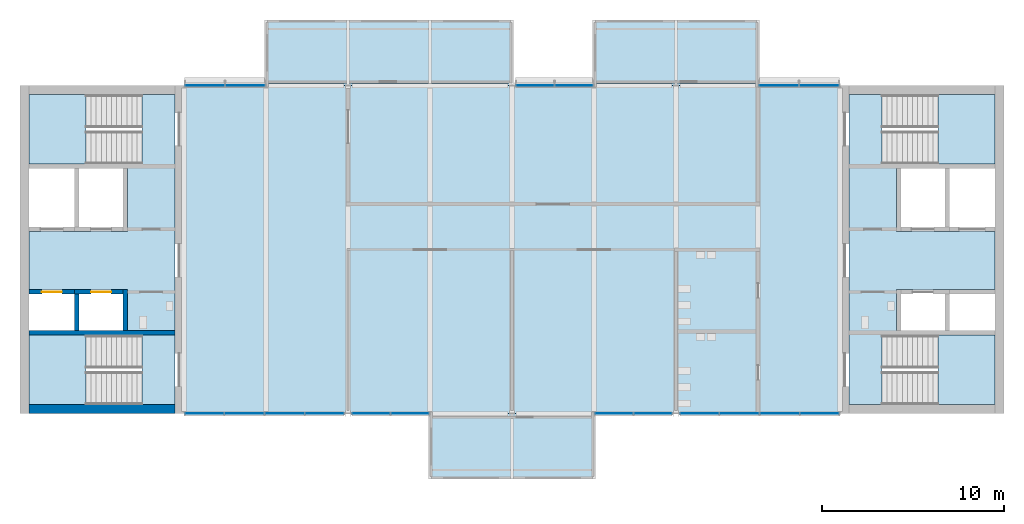
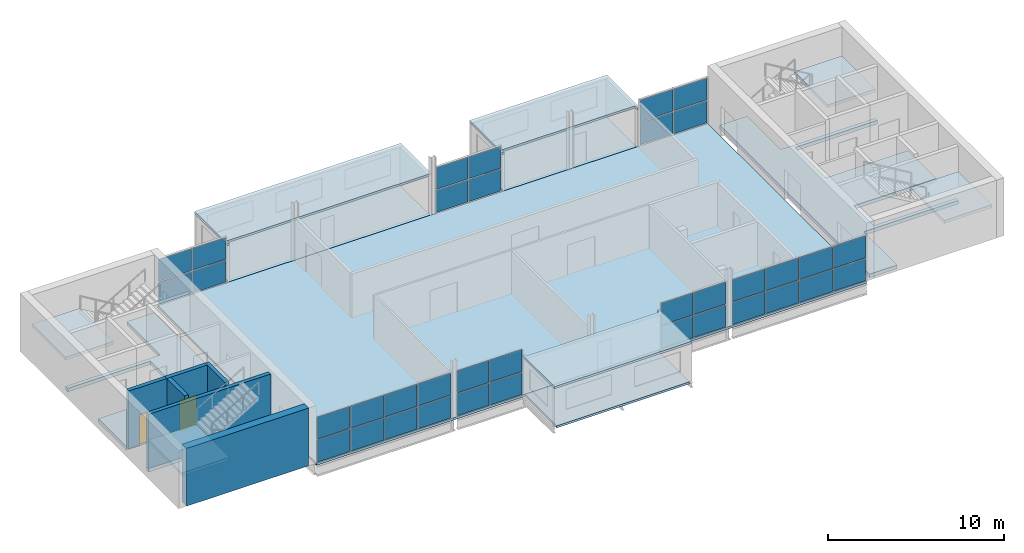
# One storey, part 4 of 10: 36 plates, 13 slabs, 6 walls, 2 doors, 2 openings, 11 elements without a shape of their own.
"""IFC4 building model written with IfcOpenShell, lengths in metres."""

from ifc_helpers import new_model, si_unit, direction, frame, frame_2d, origin, origin_2d, place, context, subcontext, project, spatial, polyline, rectangle, outline, extrude, material, layer, layer_set, type_object, element, fill, aggregate, save


model = new_model("IFC4")

# Units and contexts
model_context = context("Model", 3, precision=1e-05, world=origin(), true_north=direction((0.0, 1.0)))
body_context = subcontext(model_context, "Body", "Model", "MODEL_VIEW")
ifc_project = project(units=[si_unit("LENGTHUNIT", "METRE"), si_unit("AREAUNIT", "SQUARE_METRE"), si_unit("VOLUMEUNIT", "CUBIC_METRE"), si_unit("PLANEANGLEUNIT", "RADIAN"), si_unit("MASSUNIT", "GRAM", prefix="KILO")], contexts=[model_context])

# Site, building, storey
site_placement = place(None, origin())
site = spatial("IfcSite", under=ifc_project, at=site_placement, CompositionType="ELEMENT")
building_placement = place(site_placement, origin())
building = spatial("IfcBuilding", under=site, at=building_placement, Name="Corbel Yard City Hall", CompositionType="ELEMENT")
storey_placement = place(building_placement, frame((0.0, 0.0, 51.199951171875)))
storey = spatial("IfcBuildingStorey", under=building, at=storey_placement, Name="L12", CompositionType="ELEMENT", Elevation=51.199951171875)

# Slabs
ifc_material_1 = material(Name="Concrete N40 (40 MPa)", Category="concrete")
ifc_layer_1 = layer(ifc_material_1, 0.25)
ifc_layer_set_1 = layer_set([ifc_layer_1], Name="Concrete N40 (40 MPa)")
slab_type_1 = type_object("IfcSlabType", Name="CF1", PredefinedType="FLOOR", material=ifc_layer_set_1)
slab_1_placement = place(storey_placement, frame((0.0, 0.0, -0.25)))
element("IfcSlab", 1, at=slab_1_placement, inside=storey, type_object=slab_type_1, Name="Core floor slab", PredefinedType="FLOOR", context=body_context, shape_type="SweptSolid", body=[
    extrude(outline(polyline([(8.5, 116.5), (6.698974609375, 116.5), (6.698974609375, 112.699951171875), (0.5, 112.699951171875), (0.5, 112.449951171875), (5.89990234375, 112.449951171875), (5.89990234375, 109.0), (0.5, 109.0), (0.5, 105.800048828125), (5.89990234375, 105.800048828125), (5.89990234375, 103.550048828125), (0.5, 103.550048828125), (0.5, 103.300048828125), (6.698974609375, 103.300048828125), (6.698974609375, 99.5), (8.5, 99.5), (8.5, 116.5)])), origin(), (0.0, 0.0, 1.0), 0.25),
])
slab_2_placement = place(storey_placement, frame((0.0, 0.0, -0.25)))
element("IfcSlab", 2, at=slab_2_placement, inside=storey, type_object=slab_type_1, Name="Core floor slab", PredefinedType="FLOOR", context=body_context, shape_type="SweptSolid", body=[
    extrude(outline(polyline([(53.5, 103.300048828125), (53.5, 103.550048828125), (48.10009765625, 103.550048828125), (48.10009765625, 105.800048828125), (53.5, 105.800048828125), (53.5, 109.0), (48.10009765625, 109.0), (48.10009765625, 112.449951171875), (53.5, 112.449951171875), (53.5, 112.699951171875), (47.301025390625, 112.699951171875), (47.301025390625, 116.5), (45.5, 116.5), (45.5, 99.5), (47.301025390625, 99.5), (47.301025390625, 103.300048828125), (53.5, 103.300048828125)])), origin(), (0.0, 0.0, 1.0), 0.25),
])
ifc_layer_2 = layer(ifc_material_1, 0.14990234375)
ifc_layer_set_2 = layer_set([ifc_layer_2], Name="Concrete N40 (40 MPa)")
slab_type_2 = type_object("IfcSlabType", Name="Floor slab 150", PredefinedType="FLOOR", material=ifc_layer_set_2)
slab_3_placement = place(storey_placement, frame((0.0, 0.0, -0.14990234375)))
element("IfcSlab", 3, at=slab_3_placement, inside=storey, type_object=slab_type_2, Name="Tower floor slab L12", PredefinedType="FLOOR", context=body_context, shape_type="SweptSolid", body=[
    extrude(outline(polyline([(45.0, 99.0), (45.0, 117.0), (9.0, 117.0), (9.0, 99.0), (45.0, 99.0)])), origin(), (0.0, 0.0, 1.0), 0.14990234375),
])

# Stair, slab
stair_type = type_object("IfcStairType", Name="ST4", PredefinedType="HALF_TURN_STAIR", material=ifc_material_1)
stair_1_placement = place(storey_placement, origin())
stair_1 = element("IfcStair", 4, at=stair_1_placement, inside=storey, type_object=stair_type, Name="Exit stair ST-W1 L12", PredefinedType="HALF_TURN_STAIR")
ifc_layer_3 = layer(ifc_material_1, 0.199951171875)
ifc_layer_set_3 = layer_set([ifc_layer_3], Name="Concrete N40 (40 MPa)")
slab_type_3 = type_object("IfcSlabType", Name="LN1", PredefinedType="LANDING", material=ifc_layer_set_3)
slab_4_placement = place(storey_placement, frame((0.0, 0.0, 1.800048828125)))
slab_4 = element("IfcSlab", 5, at=slab_4_placement, type_object=slab_type_3, Name="ST-W1 landing 1", PredefinedType="LANDING", context=body_context, shape_type="SweptSolid", body=[
    extrude(outline(polyline([(0.5, 99.5), (3.6201171875, 99.5), (3.6201171875, 103.300048828125), (0.5, 103.300048828125), (0.5, 99.5)])), origin(), (0.0, 0.0, 1.0), 0.199951171875),
])
aggregate(stair_1, [slab_4])

stair_2_placement = place(storey_placement, origin())
stair_2 = element("IfcStair", 6, at=stair_2_placement, inside=storey, type_object=stair_type, Name="Exit stair ST-W2 L12", PredefinedType="HALF_TURN_STAIR")
slab_5_placement = place(storey_placement, frame((0.0, 0.0, 1.800048828125)))
slab_5 = element("IfcSlab", 7, at=slab_5_placement, type_object=slab_type_3, Name="ST-W2 landing 1", PredefinedType="LANDING", context=body_context, shape_type="SweptSolid", body=[
    extrude(outline(polyline([(0.5, 112.699951171875), (3.6201171875, 112.699951171875), (3.6201171875, 116.5), (0.5, 116.5), (0.5, 112.699951171875)])), origin(), (0.0, 0.0, 1.0), 0.199951171875),
])
aggregate(stair_2, [slab_5])

stair_3_placement = place(storey_placement, origin())
stair_3 = element("IfcStair", 8, at=stair_3_placement, inside=storey, type_object=stair_type, Name="Exit stair ST-E1 L12", PredefinedType="HALF_TURN_STAIR")
slab_6_placement = place(storey_placement, frame((0.0, 0.0, 1.800048828125)))
slab_6 = element("IfcSlab", 9, at=slab_6_placement, type_object=slab_type_3, Name="ST-E1 landing 1", PredefinedType="LANDING", context=body_context, shape_type="SweptSolid", body=[
    extrude(outline(polyline([(50.3798828125, 99.5), (53.5, 99.5), (53.5, 103.300048828125), (50.3798828125, 103.300048828125), (50.3798828125, 99.5)])), origin(), (0.0, 0.0, 1.0), 0.199951171875),
])
aggregate(stair_3, [slab_6])

stair_4_placement = place(storey_placement, origin())
stair_4 = element("IfcStair", 10, at=stair_4_placement, inside=storey, type_object=stair_type, Name="Exit stair ST-E2 L12", PredefinedType="HALF_TURN_STAIR")
slab_7_placement = place(storey_placement, frame((0.0, 0.0, 1.800048828125)))
slab_7 = element("IfcSlab", 11, at=slab_7_placement, type_object=slab_type_3, Name="ST-E2 landing 1", PredefinedType="LANDING", context=body_context, shape_type="SweptSolid", body=[
    extrude(outline(polyline([(50.3798828125, 112.699951171875), (53.5, 112.699951171875), (53.5, 116.5), (50.3798828125, 116.5), (50.3798828125, 112.699951171875)])), origin(), (0.0, 0.0, 1.0), 0.199951171875),
])
aggregate(stair_4, [slab_7])

# Slabs
ifc_material_2 = material(Name="Concrete N32 (32 MPa)", Category="concrete")
ifc_layer_4 = layer(ifc_material_2, 0.14990234375)
ifc_layer_set_4 = layer_set([ifc_layer_4], Name="Concrete N32 (32 MPa)")
slab_type_4 = type_object("IfcSlabType", Name="PF1", PredefinedType="FLOOR", material=ifc_layer_set_4)
slab_8_placement = place(storey_placement, frame((0.0, 0.0, -0.14990234375)))
element("IfcSlab", 12, at=slab_8_placement, inside=storey, type_object=slab_type_4, Name="Pod floor slab L12", PredefinedType="FLOOR", context=body_context, shape_type="SweptSolid", body=[
    extrude(outline(polyline([(22.64990234375, 95.39990234375), (31.35009765625, 95.39990234375), (31.35009765625, 99.0), (22.64990234375, 99.0), (22.64990234375, 95.39990234375)])), origin(), (0.0, 0.0, 1.0), 0.14990234375),
])
slab_9_placement = place(storey_placement, frame((0.0, 0.0, -0.14990234375)))
element("IfcSlab", 13, at=slab_9_placement, inside=storey, type_object=slab_type_4, Name="Pod floor slab L12", PredefinedType="FLOOR", context=body_context, shape_type="SweptSolid", body=[
    extrude(outline(polyline([(13.64990234375, 117.0), (26.85009765625, 117.0), (26.85009765625, 120.60009765625), (13.64990234375, 120.60009765625), (13.64990234375, 117.0)])), origin(), (0.0, 0.0, 1.0), 0.14990234375),
])
slab_10_placement = place(storey_placement, frame((0.0, 0.0, -0.14990234375)))
element("IfcSlab", 14, at=slab_10_placement, inside=storey, type_object=slab_type_4, Name="Pod floor slab L12", PredefinedType="FLOOR", context=body_context, shape_type="SweptSolid", body=[
    extrude(outline(polyline([(31.64990234375, 117.0), (40.35009765625, 117.0), (40.35009765625, 120.60009765625), (31.64990234375, 120.60009765625), (31.64990234375, 117.0)])), origin(), (0.0, 0.0, 1.0), 0.14990234375),
])
ifc_layer_5 = layer(ifc_material_2, 0.14990234375)
ifc_layer_set_5 = layer_set([ifc_layer_5], Name="Concrete N32 (32 MPa)")
slab_type_5 = type_object("IfcSlabType", Name="PH1", PredefinedType="ROOF", material=ifc_layer_set_5)
slab_11_placement = place(storey_placement, frame((0.0, 0.0, 2.60009765625)))
element("IfcSlab", 15, at=slab_11_placement, inside=storey, type_object=slab_type_5, Name="Pod roof slab L12", PredefinedType="ROOF", context=body_context, shape_type="SweptSolid", body=[
    extrude(outline(polyline([(22.5, 95.39990234375), (31.5, 95.39990234375), (31.5, 99.074951171875), (31.35009765625, 99.074951171875), (31.35009765625, 98.844482421875), (22.64990234375, 98.844482421875), (22.64990234375, 99.074951171875), (22.5, 99.074951171875), (22.5, 95.39990234375)])), origin(), (0.0, 0.0, 1.0), 0.14990234375),
])
slab_12_placement = place(storey_placement, frame((0.0, 0.0, 2.60009765625)))
element("IfcSlab", 16, at=slab_12_placement, inside=storey, type_object=slab_type_5, Name="Pod roof slab L12", PredefinedType="ROOF", context=body_context, shape_type="SweptSolid", body=[
    extrude(outline(polyline([(13.5, 120.60009765625), (13.5, 116.909912109375), (13.64990234375, 116.909912109375), (13.64990234375, 117.155517578125), (27.0, 117.155517578125), (27.0, 120.60009765625), (13.5, 120.60009765625)])), origin(), (0.0, 0.0, 1.0), 0.14990234375),
])
slab_13_placement = place(storey_placement, frame((0.0, 0.0, 2.60009765625)))
element("IfcSlab", 17, at=slab_13_placement, inside=storey, type_object=slab_type_5, Name="Pod roof slab L12", PredefinedType="ROOF", context=body_context, shape_type="SweptSolid", body=[
    extrude(outline(polyline([(31.5, 120.60009765625), (31.5, 116.909912109375), (31.64990234375, 116.909912109375), (31.64990234375, 117.155517578125), (40.35009765625, 117.155517578125), (40.35009765625, 116.909912109375), (40.5, 116.909912109375), (40.5, 120.60009765625), (31.5, 120.60009765625)])), origin(), (0.0, 0.0, 1.0), 0.14990234375),
])

# Curtain wall, plates
ifc_material_3 = material(Name="Aluminium extrusion", Category="aluminium")
ifc_layer_6 = layer(ifc_material_3, 0.14990234375)
ifc_layer_set_6 = layer_set([ifc_layer_6], Name="Aluminium extrusion")
curtain_wall_type_1 = type_object("IfcCurtainWallType", Name="CW2", PredefinedType="USERDEFINED", material=ifc_layer_set_6)
curtain_wall_1_placement = place(storey_placement, origin())
curtain_wall_1 = element("IfcCurtainWall", 18, at=curtain_wall_1_placement, inside=storey, type_object=curtain_wall_type_1, Name="Curtain wall CW2 L12", ObjectType="CURTAIN WALL", PredefinedType="USERDEFINED")
ifc_material_4 = material(Name="Double glazed low-e glass unit", Category="glass")
ifc_layer_7 = layer(ifc_material_4, 0.028076171875)
ifc_layer_set_7 = layer_set([ifc_layer_7], Name="Double glazed low-e glass unit")
plate_type_1 = type_object("IfcPlateType", Name="PN2", PredefinedType="CURTAIN_PANEL", material=ifc_layer_set_7)
plate_1_placement = place(storey_placement, frame((10.120849609375, 99.0, 0.06494140625), z_axis=(0.0, 0.0, 1.0), x_axis=(1.0, 0.0, 0.0)))
plate_1 = element("IfcPlate", 19, at=plate_1_placement, type_object=plate_type_1, Name="CW2 panel 1.1", PredefinedType="CURTAIN_PANEL", context=body_context, shape_type="SweptSolid", body=[
    extrude(rectangle(XDim=2.111572265625, YDim=0.028076171875, at=origin_2d()), origin(), (0.0, 0.0, 1.0), 1.521484375),
])
plate_2_placement = place(storey_placement, frame((10.120849609375, 99.0, 1.651611328125), z_axis=(0.0, 0.0, 1.0), x_axis=(1.0, 0.0, 0.0)))
plate_2 = element("IfcPlate", 20, at=plate_2_placement, type_object=plate_type_1, Name="CW2 panel 1.2", PredefinedType="CURTAIN_PANEL", context=body_context, shape_type="SweptSolid", body=[
    extrude(rectangle(XDim=2.111572265625, YDim=0.028076171875, at=origin_2d()), origin(), (0.0, 0.0, 1.0), 1.521484375),
])
plate_3_placement = place(storey_placement, frame((12.313720703125, 99.0, 0.06494140625), z_axis=(0.0, 0.0, 1.0), x_axis=(1.0, 0.0, 0.0)))
plate_3 = element("IfcPlate", 21, at=plate_3_placement, type_object=plate_type_1, Name="CW2 panel 2.1", PredefinedType="CURTAIN_PANEL", context=body_context, shape_type="SweptSolid", body=[
    extrude(rectangle(XDim=2.14404296875, YDim=0.028076171875, at=origin_2d()), origin(), (0.0, 0.0, 1.0), 1.521484375),
])
plate_4_placement = place(storey_placement, frame((12.313720703125, 99.0, 1.651611328125), z_axis=(0.0, 0.0, 1.0), x_axis=(1.0, 0.0, 0.0)))
plate_4 = element("IfcPlate", 22, at=plate_4_placement, type_object=plate_type_1, Name="CW2 panel 2.2", PredefinedType="CURTAIN_PANEL", context=body_context, shape_type="SweptSolid", body=[
    extrude(rectangle(XDim=2.14404296875, YDim=0.028076171875, at=origin_2d()), origin(), (0.0, 0.0, 1.0), 1.521484375),
])
plate_5_placement = place(storey_placement, frame((14.522705078125, 99.0, 0.06494140625), z_axis=(0.0, 0.0, 1.0), x_axis=(1.0, 0.0, 0.0)))
plate_5 = element("IfcPlate", 23, at=plate_5_placement, type_object=plate_type_1, Name="CW2 panel 3.1", PredefinedType="CURTAIN_PANEL", context=body_context, shape_type="SweptSolid", body=[
    extrude(rectangle(XDim=2.14404296875, YDim=0.028076171875, at=origin_2d()), origin(), (0.0, 0.0, 1.0), 1.521484375),
])
plate_6_placement = place(storey_placement, frame((14.522705078125, 99.0, 1.651611328125), z_axis=(0.0, 0.0, 1.0), x_axis=(1.0, 0.0, 0.0)))
plate_6 = element("IfcPlate", 24, at=plate_6_placement, type_object=plate_type_1, Name="CW2 panel 3.2", PredefinedType="CURTAIN_PANEL", context=body_context, shape_type="SweptSolid", body=[
    extrude(rectangle(XDim=2.14404296875, YDim=0.028076171875, at=origin_2d()), origin(), (0.0, 0.0, 1.0), 1.521484375),
])
plate_7_placement = place(storey_placement, frame((16.715576171875, 99.0, 0.06494140625), z_axis=(0.0, 0.0, 1.0), x_axis=(1.0, 0.0, 0.0)))
plate_7 = element("IfcPlate", 25, at=plate_7_placement, type_object=plate_type_1, Name="CW2 panel 4.1", PredefinedType="CURTAIN_PANEL", context=body_context, shape_type="SweptSolid", body=[
    extrude(rectangle(XDim=2.111572265625, YDim=0.028076171875, at=origin_2d()), origin(), (0.0, 0.0, 1.0), 1.521484375),
])
plate_8_placement = place(storey_placement, frame((16.715576171875, 99.0, 1.651611328125), z_axis=(0.0, 0.0, 1.0), x_axis=(1.0, 0.0, 0.0)))
plate_8 = element("IfcPlate", 26, at=plate_8_placement, type_object=plate_type_1, Name="CW2 panel 4.2", PredefinedType="CURTAIN_PANEL", context=body_context, shape_type="SweptSolid", body=[
    extrude(rectangle(XDim=2.111572265625, YDim=0.028076171875, at=origin_2d()), origin(), (0.0, 0.0, 1.0), 1.521484375),
])
aggregate(curtain_wall_1, [plate_1, plate_2, plate_3, plate_4, plate_5, plate_6, plate_7, plate_8])

curtain_wall_2_placement = place(storey_placement, origin())
curtain_wall_2 = element("IfcCurtainWall", 27, at=curtain_wall_2_placement, inside=storey, type_object=curtain_wall_type_1, Name="Curtain wall CW2 L12", ObjectType="CURTAIN WALL", PredefinedType="USERDEFINED")
plate_9_placement = place(storey_placement, frame((19.263916015625, 99.0, 0.06494140625), z_axis=(0.0, 0.0, 1.0), x_axis=(1.0, 0.0, 0.0)))
plate_9 = element("IfcPlate", 28, at=plate_9_placement, type_object=plate_type_1, Name="CW2 panel 1.1", PredefinedType="CURTAIN_PANEL", context=body_context, shape_type="SweptSolid", body=[
    extrude(rectangle(XDim=2.07080078125, YDim=0.028076171875, at=origin_2d()), origin(), (0.0, 0.0, 1.0), 1.521484375),
])
plate_10_placement = place(storey_placement, frame((19.263916015625, 99.0, 1.651611328125), z_axis=(0.0, 0.0, 1.0), x_axis=(1.0, 0.0, 0.0)))
plate_10 = element("IfcPlate", 29, at=plate_10_placement, type_object=plate_type_1, Name="CW2 panel 1.2", PredefinedType="CURTAIN_PANEL", context=body_context, shape_type="SweptSolid", body=[
    extrude(rectangle(XDim=2.07080078125, YDim=0.028076171875, at=origin_2d()), origin(), (0.0, 0.0, 1.0), 1.521484375),
])
plate_11_placement = place(storey_placement, frame((21.399658203125, 99.0, 0.06494140625), z_axis=(0.0, 0.0, 1.0), x_axis=(1.0, 0.0, 0.0)))
plate_11 = element("IfcPlate", 30, at=plate_11_placement, type_object=plate_type_1, Name="CW2 panel 2.1", PredefinedType="CURTAIN_PANEL", context=body_context, shape_type="SweptSolid", body=[
    extrude(rectangle(XDim=2.07080078125, YDim=0.028076171875, at=origin_2d()), origin(), (0.0, 0.0, 1.0), 1.521484375),
])
plate_12_placement = place(storey_placement, frame((21.399658203125, 99.0, 1.651611328125), z_axis=(0.0, 0.0, 1.0), x_axis=(1.0, 0.0, 0.0)))
plate_12 = element("IfcPlate", 31, at=plate_12_placement, type_object=plate_type_1, Name="CW2 panel 2.2", PredefinedType="CURTAIN_PANEL", context=body_context, shape_type="SweptSolid", body=[
    extrude(rectangle(XDim=2.07080078125, YDim=0.028076171875, at=origin_2d()), origin(), (0.0, 0.0, 1.0), 1.521484375),
])
aggregate(curtain_wall_2, [plate_9, plate_10, plate_11, plate_12])

curtain_wall_3_placement = place(storey_placement, origin())
curtain_wall_3 = element("IfcCurtainWall", 32, at=curtain_wall_3_placement, inside=storey, type_object=curtain_wall_type_1, Name="Curtain wall CW2 L12", ObjectType="CURTAIN WALL", PredefinedType="USERDEFINED")
plate_13_placement = place(storey_placement, frame((32.600341796875, 99.0, 0.06494140625), z_axis=(0.0, 0.0, 1.0), x_axis=(1.0, 0.0, 0.0)))
plate_13 = element("IfcPlate", 33, at=plate_13_placement, type_object=plate_type_1, Name="CW2 panel 1.1", PredefinedType="CURTAIN_PANEL", context=body_context, shape_type="SweptSolid", body=[
    extrude(rectangle(XDim=2.07080078125, YDim=0.028076171875, at=origin_2d()), origin(), (0.0, 0.0, 1.0), 1.521484375),
])
plate_14_placement = place(storey_placement, frame((32.600341796875, 99.0, 1.651611328125), z_axis=(0.0, 0.0, 1.0), x_axis=(1.0, 0.0, 0.0)))
plate_14 = element("IfcPlate", 34, at=plate_14_placement, type_object=plate_type_1, Name="CW2 panel 1.2", PredefinedType="CURTAIN_PANEL", context=body_context, shape_type="SweptSolid", body=[
    extrude(rectangle(XDim=2.07080078125, YDim=0.028076171875, at=origin_2d()), origin(), (0.0, 0.0, 1.0), 1.521484375),
])
plate_15_placement = place(storey_placement, frame((34.736083984375, 99.0, 0.06494140625), z_axis=(0.0, 0.0, 1.0), x_axis=(1.0, 0.0, 0.0)))
plate_15 = element("IfcPlate", 35, at=plate_15_placement, type_object=plate_type_1, Name="CW2 panel 2.1", PredefinedType="CURTAIN_PANEL", context=body_context, shape_type="SweptSolid", body=[
    extrude(rectangle(XDim=2.07080078125, YDim=0.028076171875, at=origin_2d()), origin(), (0.0, 0.0, 1.0), 1.521484375),
])
plate_16_placement = place(storey_placement, frame((34.736083984375, 99.0, 1.651611328125), z_axis=(0.0, 0.0, 1.0), x_axis=(1.0, 0.0, 0.0)))
plate_16 = element("IfcPlate", 36, at=plate_16_placement, type_object=plate_type_1, Name="CW2 panel 2.2", PredefinedType="CURTAIN_PANEL", context=body_context, shape_type="SweptSolid", body=[
    extrude(rectangle(XDim=2.07080078125, YDim=0.028076171875, at=origin_2d()), origin(), (0.0, 0.0, 1.0), 1.521484375),
])
aggregate(curtain_wall_3, [plate_13, plate_14, plate_15, plate_16])

curtain_wall_4_placement = place(storey_placement, origin())
curtain_wall_4 = element("IfcCurtainWall", 37, at=curtain_wall_4_placement, inside=storey, type_object=curtain_wall_type_1, Name="Curtain wall CW2 L12", ObjectType="CURTAIN WALL", PredefinedType="USERDEFINED")
plate_17_placement = place(storey_placement, frame((37.284423828125, 99.0, 0.06494140625), z_axis=(0.0, 0.0, 1.0), x_axis=(1.0, 0.0, 0.0)))
plate_17 = element("IfcPlate", 38, at=plate_17_placement, type_object=plate_type_1, Name="CW2 panel 1.1", PredefinedType="CURTAIN_PANEL", context=body_context, shape_type="SweptSolid", body=[
    extrude(rectangle(XDim=2.111572265625, YDim=0.028076171875, at=origin_2d()), origin(), (0.0, 0.0, 1.0), 1.521484375),
])
plate_18_placement = place(storey_placement, frame((37.284423828125, 99.0, 1.651611328125), z_axis=(0.0, 0.0, 1.0), x_axis=(1.0, 0.0, 0.0)))
plate_18 = element("IfcPlate", 39, at=plate_18_placement, type_object=plate_type_1, Name="CW2 panel 1.2", PredefinedType="CURTAIN_PANEL", context=body_context, shape_type="SweptSolid", body=[
    extrude(rectangle(XDim=2.111572265625, YDim=0.028076171875, at=origin_2d()), origin(), (0.0, 0.0, 1.0), 1.521484375),
])
plate_19_placement = place(storey_placement, frame((39.477294921875, 99.0, 0.06494140625), z_axis=(0.0, 0.0, 1.0), x_axis=(1.0, 0.0, 0.0)))
plate_19 = element("IfcPlate", 40, at=plate_19_placement, type_object=plate_type_1, Name="CW2 panel 2.1", PredefinedType="CURTAIN_PANEL", context=body_context, shape_type="SweptSolid", body=[
    extrude(rectangle(XDim=2.14404296875, YDim=0.028076171875, at=origin_2d()), origin(), (0.0, 0.0, 1.0), 1.521484375),
])
plate_20_placement = place(storey_placement, frame((39.477294921875, 99.0, 1.651611328125), z_axis=(0.0, 0.0, 1.0), x_axis=(1.0, 0.0, 0.0)))
plate_20 = element("IfcPlate", 41, at=plate_20_placement, type_object=plate_type_1, Name="CW2 panel 2.2", PredefinedType="CURTAIN_PANEL", context=body_context, shape_type="SweptSolid", body=[
    extrude(rectangle(XDim=2.14404296875, YDim=0.028076171875, at=origin_2d()), origin(), (0.0, 0.0, 1.0), 1.521484375),
])
plate_21_placement = place(storey_placement, frame((41.686279296875, 99.0, 0.06494140625), z_axis=(0.0, 0.0, 1.0), x_axis=(1.0, 0.0, 0.0)))
plate_21 = element("IfcPlate", 42, at=plate_21_placement, type_object=plate_type_1, Name="CW2 panel 3.1", PredefinedType="CURTAIN_PANEL", context=body_context, shape_type="SweptSolid", body=[
    extrude(rectangle(XDim=2.14404296875, YDim=0.028076171875, at=origin_2d()), origin(), (0.0, 0.0, 1.0), 1.521484375),
])
plate_22_placement = place(storey_placement, frame((41.686279296875, 99.0, 1.651611328125), z_axis=(0.0, 0.0, 1.0), x_axis=(1.0, 0.0, 0.0)))
plate_22 = element("IfcPlate", 43, at=plate_22_placement, type_object=plate_type_1, Name="CW2 panel 3.2", PredefinedType="CURTAIN_PANEL", context=body_context, shape_type="SweptSolid", body=[
    extrude(rectangle(XDim=2.14404296875, YDim=0.028076171875, at=origin_2d()), origin(), (0.0, 0.0, 1.0), 1.521484375),
])
plate_23_placement = place(storey_placement, frame((43.879150390625, 99.0, 0.06494140625), z_axis=(0.0, 0.0, 1.0), x_axis=(1.0, 0.0, 0.0)))
plate_23 = element("IfcPlate", 44, at=plate_23_placement, type_object=plate_type_1, Name="CW2 panel 4.1", PredefinedType="CURTAIN_PANEL", context=body_context, shape_type="SweptSolid", body=[
    extrude(rectangle(XDim=2.111572265625, YDim=0.028076171875, at=origin_2d()), origin(), (0.0, 0.0, 1.0), 1.521484375),
])
plate_24_placement = place(storey_placement, frame((43.879150390625, 99.0, 1.651611328125), z_axis=(0.0, 0.0, 1.0), x_axis=(1.0, 0.0, 0.0)))
plate_24 = element("IfcPlate", 45, at=plate_24_placement, type_object=plate_type_1, Name="CW2 panel 4.2", PredefinedType="CURTAIN_PANEL", context=body_context, shape_type="SweptSolid", body=[
    extrude(rectangle(XDim=2.111572265625, YDim=0.028076171875, at=origin_2d()), origin(), (0.0, 0.0, 1.0), 1.521484375),
])
aggregate(curtain_wall_4, [plate_17, plate_18, plate_19, plate_20, plate_21, plate_22, plate_23, plate_24])

ifc_layer_8 = layer(ifc_material_3, 0.179931640625)
ifc_layer_set_8 = layer_set([ifc_layer_8], Name="Aluminium extrusion")
curtain_wall_type_2 = type_object("IfcCurtainWallType", Name="CW6", PredefinedType="USERDEFINED", material=ifc_layer_set_8)
curtain_wall_5_placement = place(storey_placement, origin())
curtain_wall_5 = element("IfcCurtainWall", 46, at=curtain_wall_5_placement, inside=storey, type_object=curtain_wall_type_2, Name="Curtain wall CW6 L12", ObjectType="CURTAIN WALL", PredefinedType="USERDEFINED")
ifc_material_5 = material(Name="Double glazed low-e glass unit, ceramic fritted", Category="glass")
ifc_layer_9 = layer(ifc_material_5, 0.02392578125)
ifc_layer_set_9 = layer_set([ifc_layer_9], Name="Double glazed low-e glass unit, ceramic fritted")
plate_type_2 = type_object("IfcPlateType", Name="PN7", PredefinedType="CURTAIN_PANEL", material=ifc_layer_set_9)
plate_25_placement = place(storey_placement, frame((10.141357421875, 117.0, 0.06494140625), z_axis=(0.0, 0.0, 1.0), x_axis=(1.0, 0.0, 0.0)))
plate_25 = element("IfcPlate", 47, at=plate_25_placement, type_object=plate_type_2, Name="CW6 panel 1.1", PredefinedType="CURTAIN_PANEL", context=body_context, shape_type="SweptSolid", body=[
    extrude(rectangle(XDim=2.152587890625, YDim=0.02392578125, at=origin_2d()), origin(), (0.0, 0.0, 1.0), 1.521484375),
])
plate_26_placement = place(storey_placement, frame((10.141357421875, 117.0, 1.651611328125), z_axis=(0.0, 0.0, 1.0), x_axis=(1.0, 0.0, 0.0)))
plate_26 = element("IfcPlate", 48, at=plate_26_placement, type_object=plate_type_2, Name="CW6 panel 1.2", PredefinedType="CURTAIN_PANEL", context=body_context, shape_type="SweptSolid", body=[
    extrude(rectangle(XDim=2.152587890625, YDim=0.02392578125, at=origin_2d()), origin(), (0.0, 0.0, 1.0), 1.521484375),
])
plate_27_placement = place(storey_placement, frame((12.358642578125, 117.0, 0.06494140625), z_axis=(0.0, 0.0, 1.0), x_axis=(1.0, 0.0, 0.0)))
plate_27 = element("IfcPlate", 49, at=plate_27_placement, type_object=plate_type_2, Name="CW6 panel 2.1", PredefinedType="CURTAIN_PANEL", context=body_context, shape_type="SweptSolid", body=[
    extrude(rectangle(XDim=2.152587890625, YDim=0.02392578125, at=origin_2d()), origin(), (0.0, 0.0, 1.0), 1.521484375),
])
plate_28_placement = place(storey_placement, frame((12.358642578125, 117.0, 1.651611328125), z_axis=(0.0, 0.0, 1.0), x_axis=(1.0, 0.0, 0.0)))
plate_28 = element("IfcPlate", 50, at=plate_28_placement, type_object=plate_type_2, Name="CW6 panel 2.2", PredefinedType="CURTAIN_PANEL", context=body_context, shape_type="SweptSolid", body=[
    extrude(rectangle(XDim=2.152587890625, YDim=0.02392578125, at=origin_2d()), origin(), (0.0, 0.0, 1.0), 1.521484375),
])
aggregate(curtain_wall_5, [plate_25, plate_26, plate_27, plate_28])

curtain_wall_6_placement = place(storey_placement, origin())
curtain_wall_6 = element("IfcCurtainWall", 51, at=curtain_wall_6_placement, inside=storey, type_object=curtain_wall_type_2, Name="Curtain wall CW6 L12", ObjectType="CURTAIN WALL", PredefinedType="USERDEFINED")
plate_29_placement = place(storey_placement, frame((28.263916015625, 117.0, 0.06494140625), z_axis=(0.0, 0.0, 1.0), x_axis=(1.0, 0.0, 0.0)))
plate_29 = element("IfcPlate", 52, at=plate_29_placement, type_object=plate_type_2, Name="CW6 panel 1.1", PredefinedType="CURTAIN_PANEL", context=body_context, shape_type="SweptSolid", body=[
    extrude(rectangle(XDim=2.07080078125, YDim=0.02392578125, at=origin_2d()), origin(), (0.0, 0.0, 1.0), 1.521484375),
])
plate_30_placement = place(storey_placement, frame((28.263916015625, 117.0, 1.651611328125), z_axis=(0.0, 0.0, 1.0), x_axis=(1.0, 0.0, 0.0)))
plate_30 = element("IfcPlate", 53, at=plate_30_placement, type_object=plate_type_2, Name="CW6 panel 1.2", PredefinedType="CURTAIN_PANEL", context=body_context, shape_type="SweptSolid", body=[
    extrude(rectangle(XDim=2.07080078125, YDim=0.02392578125, at=origin_2d()), origin(), (0.0, 0.0, 1.0), 1.521484375),
])
plate_31_placement = place(storey_placement, frame((30.399658203125, 117.0, 0.06494140625), z_axis=(0.0, 0.0, 1.0), x_axis=(1.0, 0.0, 0.0)))
plate_31 = element("IfcPlate", 54, at=plate_31_placement, type_object=plate_type_2, Name="CW6 panel 2.1", PredefinedType="CURTAIN_PANEL", context=body_context, shape_type="SweptSolid", body=[
    extrude(rectangle(XDim=2.07080078125, YDim=0.02392578125, at=origin_2d()), origin(), (0.0, 0.0, 1.0), 1.521484375),
])
plate_32_placement = place(storey_placement, frame((30.399658203125, 117.0, 1.651611328125), z_axis=(0.0, 0.0, 1.0), x_axis=(1.0, 0.0, 0.0)))
plate_32 = element("IfcPlate", 55, at=plate_32_placement, type_object=plate_type_2, Name="CW6 panel 2.2", PredefinedType="CURTAIN_PANEL", context=body_context, shape_type="SweptSolid", body=[
    extrude(rectangle(XDim=2.07080078125, YDim=0.02392578125, at=origin_2d()), origin(), (0.0, 0.0, 1.0), 1.521484375),
])
aggregate(curtain_wall_6, [plate_29, plate_30, plate_31, plate_32])

curtain_wall_7_placement = place(storey_placement, origin())
curtain_wall_7 = element("IfcCurtainWall", 56, at=curtain_wall_7_placement, inside=storey, type_object=curtain_wall_type_2, Name="Curtain wall CW6 L12", ObjectType="CURTAIN WALL", PredefinedType="USERDEFINED")
plate_33_placement = place(storey_placement, frame((41.641357421875, 117.0, 0.06494140625), z_axis=(0.0, 0.0, 1.0), x_axis=(1.0, 0.0, 0.0)))
plate_33 = element("IfcPlate", 57, at=plate_33_placement, type_object=plate_type_2, Name="CW6 panel 1.1", PredefinedType="CURTAIN_PANEL", context=body_context, shape_type="SweptSolid", body=[
    extrude(rectangle(XDim=2.152587890625, YDim=0.02392578125, at=origin_2d()), origin(), (0.0, 0.0, 1.0), 1.521484375),
])
plate_34_placement = place(storey_placement, frame((41.641357421875, 117.0, 1.651611328125), z_axis=(0.0, 0.0, 1.0), x_axis=(1.0, 0.0, 0.0)))
plate_34 = element("IfcPlate", 58, at=plate_34_placement, type_object=plate_type_2, Name="CW6 panel 1.2", PredefinedType="CURTAIN_PANEL", context=body_context, shape_type="SweptSolid", body=[
    extrude(rectangle(XDim=2.152587890625, YDim=0.02392578125, at=origin_2d()), origin(), (0.0, 0.0, 1.0), 1.521484375),
])
plate_35_placement = place(storey_placement, frame((43.858642578125, 117.0, 0.06494140625), z_axis=(0.0, 0.0, 1.0), x_axis=(1.0, 0.0, 0.0)))
plate_35 = element("IfcPlate", 59, at=plate_35_placement, type_object=plate_type_2, Name="CW6 panel 2.1", PredefinedType="CURTAIN_PANEL", context=body_context, shape_type="SweptSolid", body=[
    extrude(rectangle(XDim=2.152587890625, YDim=0.02392578125, at=origin_2d()), origin(), (0.0, 0.0, 1.0), 1.521484375),
])
plate_36_placement = place(storey_placement, frame((43.858642578125, 117.0, 1.651611328125), z_axis=(0.0, 0.0, 1.0), x_axis=(1.0, 0.0, 0.0)))
plate_36 = element("IfcPlate", 60, at=plate_36_placement, type_object=plate_type_2, Name="CW6 panel 2.2", PredefinedType="CURTAIN_PANEL", context=body_context, shape_type="SweptSolid", body=[
    extrude(rectangle(XDim=2.152587890625, YDim=0.02392578125, at=origin_2d()), origin(), (0.0, 0.0, 1.0), 1.521484375),
])
aggregate(curtain_wall_7, [plate_33, plate_34, plate_35, plate_36])

# Walls
ifc_layer_10 = layer(ifc_material_1, 0.25)
ifc_layer_set_10 = layer_set([ifc_layer_10], Name="Concrete N40 (40 MPa)")
wall_type_1 = type_object("IfcWallType", Name="IW2", PredefinedType="SOLIDWALL", material=ifc_layer_set_10)
wall_1_placement = place(storey_placement, frame((8.5, 103.425048828125, 0.0), z_axis=(0.0, 0.0, 1.0), x_axis=(-1.0, 0.0, 0.0)))
element("IfcWall", 61, at=wall_1_placement, inside=storey, type_object=wall_type_1, Name="Stair enclosure wall", PredefinedType="SOLIDWALL", context=body_context, shape_type="SweptSolid", body=[
    extrude(rectangle(XDim=8.0, YDim=0.25, at=frame_2d((4.0, 0.0))), origin(), (0.0, 0.0, 1.0), 3.75),
])
wall_2_placement = place(storey_placement, frame((5.77490234375, 103.550048828125, 0.0), z_axis=(0.0, 0.0, 1.0), x_axis=(0.0, 1.0, 0.0)))
element("IfcWall", 62, at=wall_2_placement, inside=storey, type_object=wall_type_1, Name="Lift LP22 shaft wall", PredefinedType="SOLIDWALL", context=body_context, shape_type="SweptSolid", body=[
    extrude(rectangle(XDim=2.25, YDim=0.25, at=frame_2d((1.125, 0.0))), origin(), (0.0, 0.0, 1.0), 4.0),
])
wall_3_placement = place(storey_placement, frame((3.125, 103.550048828125, 0.0), z_axis=(0.0, 0.0, 1.0), x_axis=(0.0, 1.0, 0.0)))
element("IfcWall", 63, at=wall_3_placement, inside=storey, type_object=wall_type_1, Name="Lift LP22 shaft wall", PredefinedType="SOLIDWALL", context=body_context, shape_type="SweptSolid", body=[
    extrude(rectangle(XDim=2.0, YDim=0.25, at=frame_2d((1.0, 0.0))), origin(), (0.0, 0.0, 1.0), 4.0),
])

# Wall, opening, door
wall_4_placement = place(storey_placement, frame((5.64990234375, 105.675048828125, 0.0), z_axis=(0.0, 0.0, 1.0), x_axis=(-1.0, 0.0, 0.0)))
wall_4 = element("IfcWall", 64, at=wall_4_placement, inside=storey, type_object=wall_type_1, Name="Lift LP22 shaft wall", PredefinedType="SOLIDWALL", context=body_context, shape_type="SweptSolid", body=[
    extrude(rectangle(XDim=2.64990234375, YDim=0.25, at=frame_2d((1.324951171875, 0.0))), origin(), (0.0, 0.0, 1.0), 4.0),
])
opening_1_placement = place(wall_4_placement, frame((0.64990234375, 0.0, 0.0)))
opening_1 = element("IfcOpeningElement", 65, at=opening_1_placement, cuts=wall_4, Name="Opening T3-004", PredefinedType="OPENING", context=body_context, shape_type="SweptSolid", body=[
    extrude(rectangle(XDim=1.10009765625, YDim=2.10009765625, at=frame_2d((0.550048828125, 1.050048828125))), frame((0.0, 0.135009765625, 0.0), z_axis=(0.0, -1.0, 0.0), x_axis=(1.0, 0.0, 0.0)), (0.0, 0.0, 1.0), 0.27001953125),
])
ifc_material_6 = material(Name="Stainless steel Grade 316", Category="steel")
door_type = type_object("IfcDoorType", Name="LD1", OperationType="DOUBLE_DOOR_SLIDING", PredefinedType="DOOR", material=ifc_material_6)
door_1_placement = place(opening_1_placement, origin())
door_1 = element("IfcDoor", 66, at=door_1_placement, inside=storey, type_object=door_type, Name="Lift LP22 landing door", OperationType="DOUBLE_DOOR_SLIDING", OverallHeight=2.10009765625, OverallWidth=1.10009765625, PredefinedType="DOOR", context=body_context, shape_type="SweptSolid", body=[
    extrude(rectangle(XDim=1.10009765625, YDim=2.10009765625, at=frame_2d((0.550048828125, 1.050048828125))), frame((0.0, 0.02490234375, 0.0), z_axis=(0.0, -1.0, 0.0), x_axis=(1.0, 0.0, 0.0)), (0.0, 0.0, 1.0), 0.050048828125),
])
fill(opening_1, door_1)

wall_5_placement = place(storey_placement, frame((3.0, 105.675048828125, 0.0), z_axis=(0.0, 0.0, 1.0), x_axis=(-1.0, 0.0, 0.0)))
wall_5 = element("IfcWall", 67, at=wall_5_placement, inside=storey, type_object=wall_type_1, Name="Lift LP23 shaft wall", PredefinedType="SOLIDWALL", context=body_context, shape_type="SweptSolid", body=[
    extrude(rectangle(XDim=2.5, YDim=0.25, at=frame_2d((1.25, 0.0))), origin(), (0.0, 0.0, 1.0), 4.0),
])
opening_2_placement = place(wall_5_placement, frame((0.699951171875, 0.0, 0.0)))
opening_2 = element("IfcOpeningElement", 68, at=opening_2_placement, cuts=wall_5, Name="Opening T3-005", PredefinedType="OPENING", context=body_context, shape_type="SweptSolid", body=[
    extrude(rectangle(XDim=1.10009765625, YDim=2.10009765625, at=frame_2d((0.550048828125, 1.050048828125))), frame((0.0, 0.135009765625, 0.0), z_axis=(0.0, -1.0, 0.0), x_axis=(1.0, 0.0, 0.0)), (0.0, 0.0, 1.0), 0.27001953125),
])
door_2_placement = place(opening_2_placement, origin())
door_2 = element("IfcDoor", 69, at=door_2_placement, inside=storey, type_object=door_type, Name="Lift LP23 landing door", OperationType="DOUBLE_DOOR_SLIDING", OverallHeight=2.10009765625, OverallWidth=1.10009765625, PredefinedType="DOOR", context=body_context, shape_type="SweptSolid", body=[
    extrude(rectangle(XDim=1.10009765625, YDim=2.10009765625, at=frame_2d((0.550048828125, 1.050048828125))), frame((0.0, 0.02490234375, 0.0), z_axis=(0.0, -1.0, 0.0), x_axis=(1.0, 0.0, 0.0)), (0.0, 0.0, 1.0), 0.050048828125),
])
fill(opening_2, door_2)

# Wall
ifc_material_7 = material(Name="Concrete N50 (50 MPa)", Category="concrete")
ifc_layer_11 = layer(ifc_material_7, 0.5)
ifc_layer_set_11 = layer_set([ifc_layer_11], Name="Concrete N50 (50 MPa)")
wall_type_2 = type_object("IfcWallType", Name="Trunk wall 500", PredefinedType="SHEAR", material=ifc_layer_set_11)
wall_6_placement = place(storey_placement, frame((0.5, 99.25, 0.0), z_axis=(0.0, 0.0, 1.0), x_axis=(1.0, 0.0, 0.0)))
element("IfcWall", 70, at=wall_6_placement, inside=storey, type_object=wall_type_2, Name="Trunk W south wall", PredefinedType="SHEAR", context=body_context, shape_type="SweptSolid", body=[
    extrude(rectangle(XDim=8.0, YDim=0.5, at=frame_2d((4.0, 0.0))), origin(), (0.0, 0.0, 1.0), 4.0),
])

save(model, "model.ifc")
